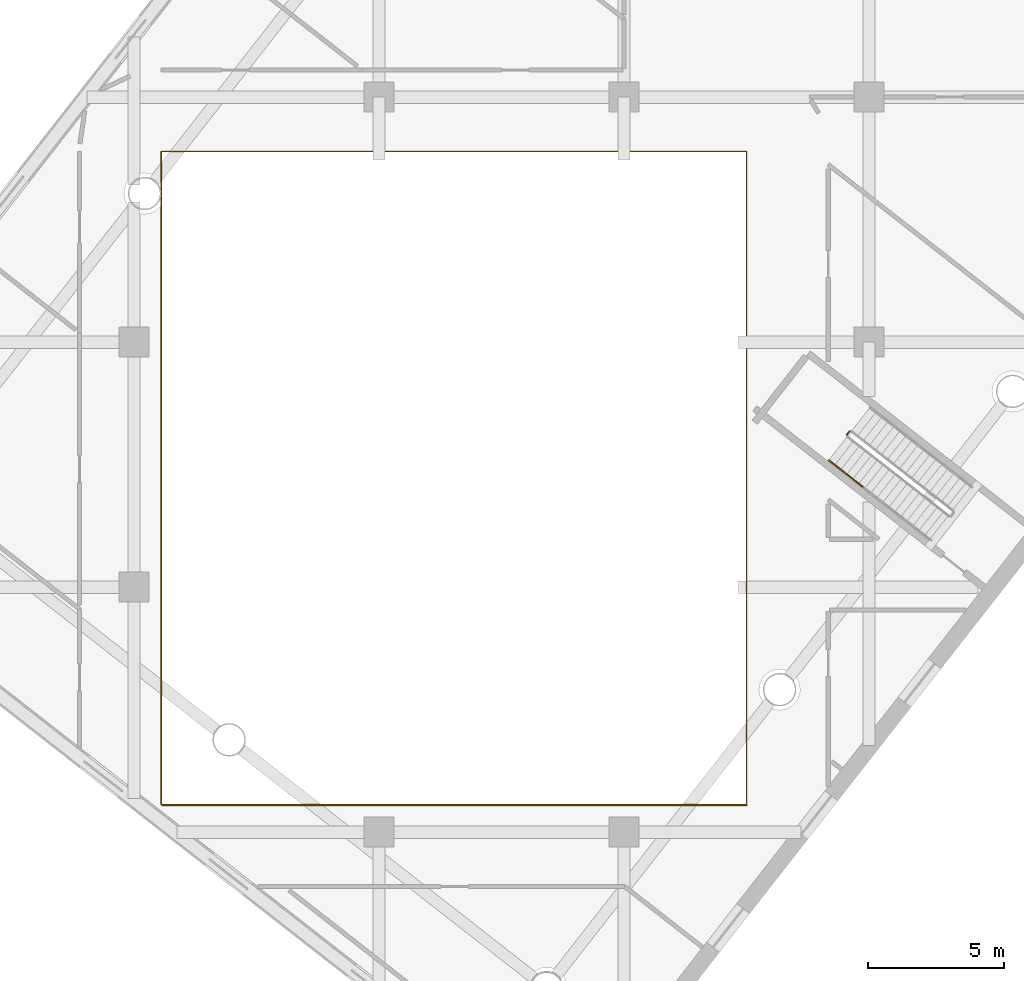
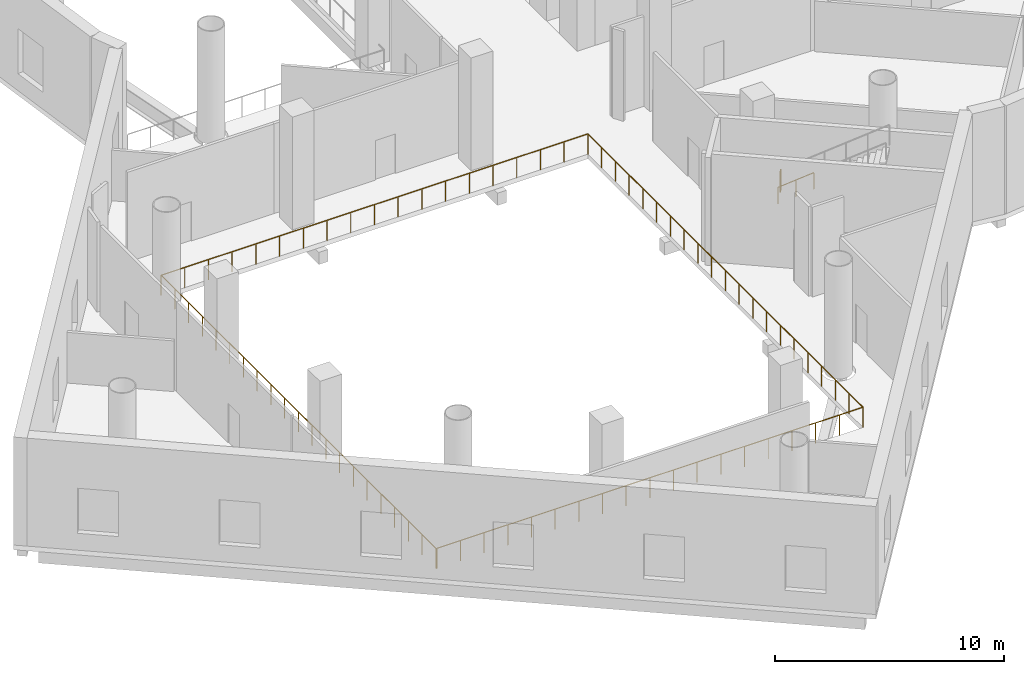
# One storey, part 19 of 24: 4 railings.
"""IFC4 building model written with IfcOpenShell, lengths in metres."""

import ifcopenshell
import ifcopenshell.guid

model = None  # the IFC model being written
_history = None  # IfcOwnerHistory: only IFC2X3 demands one
_inside = {}  # id of a spatial element -> (the spatial element, [elements in it])
_under = {}  # id of a project, library or spatial element -> (it, [spatial elements below it])
_declared = {}  # id of a project -> (the project, [libraries it declares])
_typed = {}  # id of a type object -> (the type object, [elements of that type])
_made_of = {}  # id of a material, layer set ... -> (it, [elements and type objects made of it])


def new_model(schema):
    """Start an empty IFC model of exactly this schema.

    Asked for "IFC4X3", IfcOpenShell would pick the latest addendum, in which some entities
    have other attributes; the version numbers below select the first issue.
    IFC2X3 requires an IfcOwnerHistory on every rooted entity: one is made here for all.
    """
    global model, _history
    if schema == "IFC4X3":
        model = ifcopenshell.file(schema_version=(4, 3, 0, 0))
    else:
        model = ifcopenshell.file(schema=schema)
    _inside.clear()
    _under.clear()
    _declared.clear()
    _typed.clear()
    _made_of.clear()
    _history = None
    if model.schema == "IFC2X3":
        org = make("IfcOrganization", Name="unknown")
        user = make(
            "IfcPersonAndOrganization",
            ThePerson=make("IfcPerson", FamilyName="unknown"),
            TheOrganization=org,
        )
        app = make(
            "IfcApplication",
            ApplicationDeveloper=org,
            Version="unknown",
            ApplicationFullName="unknown",
            ApplicationIdentifier="unknown",
        )
        _history = make(
            "IfcOwnerHistory",
            OwningUser=user,
            OwningApplication=app,
            ChangeAction="ADDED",
            CreationDate=0,
        )
    return model


def make(cls, **values):
    """One entity of the class cls with the attributes given. An attribute that is None is left unset."""
    return model.create_entity(
        cls, **{name: value for name, value in values.items() if value is not None}
    )


def rooted(cls, **values):
    """An entity with a GlobalId (a new one), such as an element, a storey or a relation."""
    return make(cls, GlobalId=ifcopenshell.guid.new(), OwnerHistory=_history, **values)


def si_unit(unit_type, name, prefix=None):
    """IfcSIUnit, for example si_unit("LENGTHUNIT", "METRE", prefix="MILLI")."""
    return make("IfcSIUnit", UnitType=unit_type, Prefix=prefix, Name=name)


def assignment(units):
    """IfcUnitAssignment: the units of a project."""
    return None if units is None else make("IfcUnitAssignment", Units=units)


def point(xyz):
    """IfcCartesianPoint."""
    return None if xyz is None else make("IfcCartesianPoint", Coordinates=xyz)


def direction(xyz):
    """IfcDirection."""
    return None if xyz is None else make("IfcDirection", DirectionRatios=xyz)


def frame(location, z_axis=None, x_axis=None):
    """IfcAxis2Placement3D, a coordinate frame: its origin and axes. An axis left out is left unset."""
    return make(
        "IfcAxis2Placement3D",
        Location=point(location),
        Axis=direction(z_axis),
        RefDirection=direction(x_axis),
    )


def frame_2d(location, x_axis=None):
    """IfcAxis2Placement2D, a coordinate frame in the plane: its origin and x axis."""
    return make(
        "IfcAxis2Placement2D", Location=point(location), RefDirection=direction(x_axis)
    )


def origin():
    """The frame at (0, 0, 0) with its axes left unset."""
    return frame((0.0, 0.0, 0.0))


def origin_2d():
    """The frame at (0, 0) in the plane with its x axis left unset."""
    return frame_2d((0.0, 0.0))


def place(relative_to, where):
    """IfcLocalPlacement: puts the frame where relative to a parent placement (None: the world)."""
    return make(
        "IfcLocalPlacement", PlacementRelTo=relative_to, RelativePlacement=where
    )


def context(
    kind, dimensions, precision=None, world=None, true_north=None, identifier=None
):
    """IfcGeometricRepresentationContext, for example the 3D "Model" context."""
    return make(
        "IfcGeometricRepresentationContext",
        ContextIdentifier=identifier,
        ContextType=kind,
        CoordinateSpaceDimension=dimensions,
        Precision=precision,
        WorldCoordinateSystem=world,
        TrueNorth=true_north,
    )


def subcontext(parent, identifier, kind, view, scale=None):
    """IfcGeometricRepresentationSubContext, for example "Body" below "Model"."""
    return make(
        "IfcGeometricRepresentationSubContext",
        ContextIdentifier=identifier,
        ContextType=kind,
        ParentContext=parent,
        TargetScale=scale,
        TargetView=view,
    )


def project(units=None, contexts=None):
    """IfcProject with its units and contexts."""
    return rooted(
        "IfcProject",
        Name="project",
        RepresentationContexts=contexts,
        UnitsInContext=assignment(units),
    )


def spatial(cls, under=None, at=None, **own):
    """A site, building, storey or space (cls), placed at a placement, below another one or the project."""
    s = rooted(cls, ObjectPlacement=at, **own)
    if under is not None:
        _under.setdefault(under.id(), (under, []))[1].append(s)
    return s


def profile(cls, at=None, kind="AREA", **sizes):
    """A parametric profile (cls). Its sizes go by their IFC names, for example OverallWidth=200.0."""
    return make(cls, ProfileType=kind, Position=at, **sizes)


def circle(**sizes):
    """IfcCircleProfileDef."""
    return profile("IfcCircleProfileDef", **sizes)


def extrude(swept, where, along, depth):
    """IfcExtrudedAreaSolid: the profile swept, set in the frame where, extruded along a direction by depth."""
    return make(
        "IfcExtrudedAreaSolid",
        SweptArea=swept,
        Position=where,
        ExtrudedDirection=direction(along),
        Depth=depth,
    )


def shape(context_of_items, identifier, shape_type, items):
    """IfcShapeRepresentation: the items that make up one representation, for example the "Body"."""
    return make(
        "IfcShapeRepresentation",
        ContextOfItems=context_of_items,
        RepresentationIdentifier=identifier,
        RepresentationType=shape_type,
        Items=items,
    )


def material(Name=None, Category=None):
    """IfcMaterial."""
    return make("IfcMaterial", Name=Name, Category=Category)


def made_of(thing, what):
    """Note that an element or type object is made of a material, layer set ...; save() writes the relation."""
    if what is not None:
        _made_of.setdefault(what.id(), (what, []))[1].append(thing)
    return thing


def type_object(cls, material=None, **own):
    """A type object (cls), such as IfcWallType, which elements share."""
    return made_of(rooted(cls, **own), material)


def element(
    cls,
    number,
    at=None,
    inside=None,
    cuts=None,
    type_object=None,
    material=None,
    context=None,
    identifier="Body",
    shape_type=None,
    held_by="IfcProductDefinitionShape",
    body=None,
    shapes=None,
    **own,
):
    """One element of the class cls, such as IfcWall. Its Tag is "e" and its number.

    at: its placement. inside: the storey or other place that contains it. cuts: it is an
    opening in that element (IfcRelVoidsElement). A single representation is given by context,
    identifier, shape_type and body (its items); several are given by shapes. held_by: the class
    of the entity that holds the representations. save() writes the other relations.
    """
    e = rooted(cls, Tag="e%d" % number, ObjectPlacement=at, **own)
    if body is not None:
        shapes = [shape(context, identifier, shape_type, body)]
    if shapes is not None:
        e.Representation = make(held_by, Representations=shapes)
    if inside is not None:
        _inside.setdefault(inside.id(), (inside, []))[1].append(e)
    if cuts is not None:
        rooted(
            "IfcRelVoidsElement", RelatingBuildingElement=cuts, RelatedOpeningElement=e
        )
    if type_object is not None:
        _typed.setdefault(type_object.id(), (type_object, []))[1].append(e)
    return made_of(e, material)


def aggregate(whole, parts):
    """IfcRelAggregates: a whole, such as a stair, and the parts it consists of."""
    return rooted("IfcRelAggregates", RelatingObject=whole, RelatedObjects=parts)


def save(model, path):
    """Write the relations noted so far, then the file.

    IfcRelAggregates (storeys below a building ...), IfcRelContainedInSpatialStructure (elements
    in a storey), IfcRelDefinesByType, IfcRelAssociatesMaterial and IfcRelDeclares: one each for
    every whole, place, type object, material and project.
    """
    for whole, parts in _under.values():
        aggregate(whole, parts)
    for where, things in _inside.values():
        rooted(
            "IfcRelContainedInSpatialStructure",
            RelatedElements=things,
            RelatingStructure=where,
        )
    for kind, things in _typed.values():
        rooted("IfcRelDefinesByType", RelatedObjects=things, RelatingType=kind)
    for what, things in _made_of.values():
        rooted("IfcRelAssociatesMaterial", RelatedObjects=things, RelatingMaterial=what)
    for by, libraries in _declared.values():
        rooted("IfcRelDeclares", RelatingContext=by, RelatedDefinitions=libraries)
    model.write(path)


model = new_model("IFC4")

# Units and contexts
model_context = context("Model", 3, precision=1e-05, world=origin(), true_north=direction((0.0, 1.0)))
body_context = subcontext(model_context, "Body", "Model", "MODEL_VIEW")
ifc_project = project(units=[si_unit("LENGTHUNIT", "METRE"), si_unit("AREAUNIT", "SQUARE_METRE"), si_unit("VOLUMEUNIT", "CUBIC_METRE"), si_unit("PLANEANGLEUNIT", "RADIAN"), si_unit("MASSUNIT", "GRAM", prefix="KILO")], contexts=[model_context])

# Site, building, storey
site_placement = place(None, origin())
site = spatial("IfcSite", under=ifc_project, at=site_placement, CompositionType="ELEMENT")
building_placement = place(site_placement, origin())
building = spatial("IfcBuilding", under=site, at=building_placement, Name="Tarsis Ring Headquarters", CompositionType="ELEMENT")
storey_placement = place(building_placement, frame((0.0, 0.0, 8.0)))
storey = spatial("IfcBuildingStorey", under=building, at=storey_placement, Name="L01", CompositionType="ELEMENT", Elevation=8.0)

# Railings
ifc_material = material(Name="Stainless steel", Category="steel")
railing_type_1 = type_object("IfcRailingType", Name="PO-RL-G", PredefinedType="GUARDRAIL", material=ifc_material)
railing_1_placement = place(storey_placement, frame((-9.718017578125, -30.2822265625, 3.0)))
element("IfcRailing", 1, at=railing_1_placement, inside=storey, type_object=railing_type_1, Name="L01 PS2 stair guard 2", PredefinedType="GUARDRAIL", context=body_context, shape_type="SweptSolid", body=[
    extrude(circle(Radius=0.02392578125, at=origin_2d()), frame((0.0, 0.0, 1.076171875), z_axis=(-0.615517636689, -0.788123111528, 0.0), x_axis=(0.788123111528, -0.615517636689, 0.0)), (0.0, 0.0, 1.0), 0.14990234375),
    extrude(circle(Radius=0.02099609375, at=origin_2d()), origin(), (0.0, 0.0, 1.0), 1.052001953125),
    extrude(circle(Radius=0.02099609375, at=origin_2d()), frame((-0.09228515625, -0.1181640625, 0.0)), (0.0, 0.0, 1.0), 1.052001953125),
])
railing_2_placement = place(storey_placement, frame((-13.5, -44.0, 0.0)))
element("IfcRailing", 2, at=railing_2_placement, inside=storey, type_object=railing_type_1, Name="L01 void guard 1", PredefinedType="GUARDRAIL", context=body_context, shape_type="SweptSolid", body=[
    extrude(circle(Radius=0.02392578125, at=origin_2d()), frame((0.0, 0.0, 1.076171875), z_axis=(0.0, 1.0, 0.0), x_axis=(-1.0, 0.0, 0.0)), (0.0, 0.0, 1.0), 24.0),
    extrude(circle(Radius=0.02392578125, at=origin_2d()), frame((0.0, 24.0, 1.076171875), z_axis=(-1.0, 0.0, 0.0), x_axis=(0.0, -1.0, 0.0)), (0.0, 0.0, 1.0), 21.5),
    extrude(circle(Radius=0.02392578125, at=origin_2d()), frame((-21.5, 24.0, 1.076171875), z_axis=(0.0, -1.0, 0.0), x_axis=(1.0, 0.0, 0.0)), (0.0, 0.0, 1.0), 23.973876953125),
    extrude(circle(Radius=0.02099609375, at=origin_2d()), origin(), (0.0, 0.0, 1.0), 1.052001953125),
    extrude(circle(Radius=0.02099609375, at=origin_2d()), frame((0.0, 1.199951171875, 0.0)), (0.0, 0.0, 1.0), 1.052001953125),
    extrude(circle(Radius=0.02099609375, at=origin_2d()), frame((0.0, 2.39990234375, 0.0)), (0.0, 0.0, 1.0), 1.052001953125),
    extrude(circle(Radius=0.02099609375, at=origin_2d()), frame((0.0, 3.60009765625, 0.0)), (0.0, 0.0, 1.0), 1.052001953125),
    extrude(circle(Radius=0.02099609375, at=origin_2d()), frame((0.0, 4.800048828125, 0.0)), (0.0, 0.0, 1.0), 1.052001953125),
    extrude(circle(Radius=0.02099609375, at=origin_2d()), frame((0.0, 6.0, 0.0)), (0.0, 0.0, 1.0), 1.052001953125),
    extrude(circle(Radius=0.02099609375, at=origin_2d()), frame((0.0, 7.199951171875, 0.0)), (0.0, 0.0, 1.0), 1.052001953125),
    extrude(circle(Radius=0.02099609375, at=origin_2d()), frame((0.0, 8.39990234375, 0.0)), (0.0, 0.0, 1.0), 1.052001953125),
    extrude(circle(Radius=0.02099609375, at=origin_2d()), frame((0.0, 9.60009765625, 0.0)), (0.0, 0.0, 1.0), 1.052001953125),
    extrude(circle(Radius=0.02099609375, at=origin_2d()), frame((0.0, 10.800048828125, 0.0)), (0.0, 0.0, 1.0), 1.052001953125),
    extrude(circle(Radius=0.02099609375, at=origin_2d()), frame((0.0, 12.0, 0.0)), (0.0, 0.0, 1.0), 1.052001953125),
    extrude(circle(Radius=0.02099609375, at=origin_2d()), frame((0.0, 13.199951171875, 0.0)), (0.0, 0.0, 1.0), 1.052001953125),
    extrude(circle(Radius=0.02099609375, at=origin_2d()), frame((0.0, 14.39990234375, 0.0)), (0.0, 0.0, 1.0), 1.052001953125),
    extrude(circle(Radius=0.02099609375, at=origin_2d()), frame((0.0, 15.60009765625, 0.0)), (0.0, 0.0, 1.0), 1.052001953125),
    extrude(circle(Radius=0.02099609375, at=origin_2d()), frame((0.0, 16.800048828125, 0.0)), (0.0, 0.0, 1.0), 1.052001953125),
    extrude(circle(Radius=0.02099609375, at=origin_2d()), frame((0.0, 18.0, 0.0)), (0.0, 0.0, 1.0), 1.052001953125),
    extrude(circle(Radius=0.02099609375, at=origin_2d()), frame((0.0, 19.199951171875, 0.0)), (0.0, 0.0, 1.0), 1.052001953125),
    extrude(circle(Radius=0.02099609375, at=origin_2d()), frame((0.0, 20.39990234375, 0.0)), (0.0, 0.0, 1.0), 1.052001953125),
    extrude(circle(Radius=0.02099609375, at=origin_2d()), frame((0.0, 21.60009765625, 0.0)), (0.0, 0.0, 1.0), 1.052001953125),
    extrude(circle(Radius=0.02099609375, at=origin_2d()), frame((0.0, 22.800048828125, 0.0)), (0.0, 0.0, 1.0), 1.052001953125),
    extrude(circle(Radius=0.02099609375, at=origin_2d()), frame((0.0, 24.0, 0.0)), (0.0, 0.0, 1.0), 1.052001953125),
    extrude(circle(Radius=0.02099609375, at=origin_2d()), frame((-1.1943359375, 24.0, 0.0)), (0.0, 0.0, 1.0), 1.052001953125),
    extrude(circle(Radius=0.02099609375, at=origin_2d()), frame((-2.388916015625, 24.0, 0.0)), (0.0, 0.0, 1.0), 1.052001953125),
    extrude(circle(Radius=0.02099609375, at=origin_2d()), frame((-3.583251953125, 24.0, 0.0)), (0.0, 0.0, 1.0), 1.052001953125),
    extrude(circle(Radius=0.02099609375, at=origin_2d()), frame((-4.77783203125, 24.0, 0.0)), (0.0, 0.0, 1.0), 1.052001953125),
    extrude(circle(Radius=0.02099609375, at=origin_2d()), frame((-5.97216796875, 24.0, 0.0)), (0.0, 0.0, 1.0), 1.052001953125),
    extrude(circle(Radius=0.02099609375, at=origin_2d()), frame((-7.166748046875, 24.0, 0.0)), (0.0, 0.0, 1.0), 1.052001953125),
    extrude(circle(Radius=0.02099609375, at=origin_2d()), frame((-8.361083984375, 24.0, 0.0)), (0.0, 0.0, 1.0), 1.052001953125),
    extrude(circle(Radius=0.02099609375, at=origin_2d()), frame((-9.5556640625, 24.0, 0.0)), (0.0, 0.0, 1.0), 1.052001953125),
    extrude(circle(Radius=0.02099609375, at=origin_2d()), frame((-10.75, 24.0, 0.0)), (0.0, 0.0, 1.0), 1.052001953125),
    extrude(circle(Radius=0.02099609375, at=origin_2d()), frame((-11.9443359375, 24.0, 0.0)), (0.0, 0.0, 1.0), 1.052001953125),
    extrude(circle(Radius=0.02099609375, at=origin_2d()), frame((-13.138916015625, 24.0, 0.0)), (0.0, 0.0, 1.0), 1.052001953125),
    extrude(circle(Radius=0.02099609375, at=origin_2d()), frame((-14.333251953125, 24.0, 0.0)), (0.0, 0.0, 1.0), 1.052001953125),
    extrude(circle(Radius=0.02099609375, at=origin_2d()), frame((-15.52783203125, 24.0, 0.0)), (0.0, 0.0, 1.0), 1.052001953125),
    extrude(circle(Radius=0.02099609375, at=origin_2d()), frame((-16.72216796875, 24.0, 0.0)), (0.0, 0.0, 1.0), 1.052001953125),
    extrude(circle(Radius=0.02099609375, at=origin_2d()), frame((-17.916748046875, 24.0, 0.0)), (0.0, 0.0, 1.0), 1.052001953125),
    extrude(circle(Radius=0.02099609375, at=origin_2d()), frame((-19.111083984375, 24.0, 0.0)), (0.0, 0.0, 1.0), 1.052001953125),
    extrude(circle(Radius=0.02099609375, at=origin_2d()), frame((-20.3056640625, 24.0, 0.0)), (0.0, 0.0, 1.0), 1.052001953125),
    extrude(circle(Radius=0.02099609375, at=origin_2d()), frame((-21.5, 24.0, 0.0)), (0.0, 0.0, 1.0), 1.052001953125),
    extrude(circle(Radius=0.02099609375, at=origin_2d()), frame((-21.5, 22.80126953125, 0.0)), (0.0, 0.0, 1.0), 1.052001953125),
    extrude(circle(Radius=0.02099609375, at=origin_2d()), frame((-21.5, 21.6025390625, 0.0)), (0.0, 0.0, 1.0), 1.052001953125),
    extrude(circle(Radius=0.02099609375, at=origin_2d()), frame((-21.5, 20.40380859375, 0.0)), (0.0, 0.0, 1.0), 1.052001953125),
    extrude(circle(Radius=0.02099609375, at=origin_2d()), frame((-21.5, 19.205322265625, 0.0)), (0.0, 0.0, 1.0), 1.052001953125),
    extrude(circle(Radius=0.02099609375, at=origin_2d()), frame((-21.5, 18.006591796875, 0.0)), (0.0, 0.0, 1.0), 1.052001953125),
    extrude(circle(Radius=0.02099609375, at=origin_2d()), frame((-21.5, 16.807861328125, 0.0)), (0.0, 0.0, 1.0), 1.052001953125),
    extrude(circle(Radius=0.02099609375, at=origin_2d()), frame((-21.5, 15.609130859375, 0.0)), (0.0, 0.0, 1.0), 1.052001953125),
    extrude(circle(Radius=0.02099609375, at=origin_2d()), frame((-21.5, 14.410400390625, 0.0)), (0.0, 0.0, 1.0), 1.052001953125),
    extrude(circle(Radius=0.02099609375, at=origin_2d()), frame((-21.5, 13.211669921875, 0.0)), (0.0, 0.0, 1.0), 1.052001953125),
    extrude(circle(Radius=0.02099609375, at=origin_2d()), frame((-21.5, 12.01318359375, 0.0)), (0.0, 0.0, 1.0), 1.052001953125),
    extrude(circle(Radius=0.02099609375, at=origin_2d()), frame((-21.5, 10.814453125, 0.0)), (0.0, 0.0, 1.0), 1.052001953125),
    extrude(circle(Radius=0.02099609375, at=origin_2d()), frame((-21.5, 9.61572265625, 0.0)), (0.0, 0.0, 1.0), 1.052001953125),
    extrude(circle(Radius=0.02099609375, at=origin_2d()), frame((-21.5, 8.4169921875, 0.0)), (0.0, 0.0, 1.0), 1.052001953125),
    extrude(circle(Radius=0.02099609375, at=origin_2d()), frame((-21.5, 7.21826171875, 0.0)), (0.0, 0.0, 1.0), 1.052001953125),
    extrude(circle(Radius=0.02099609375, at=origin_2d()), frame((-21.5, 6.01953125, 0.0)), (0.0, 0.0, 1.0), 1.052001953125),
    extrude(circle(Radius=0.02099609375, at=origin_2d()), frame((-21.5, 4.82080078125, 0.0)), (0.0, 0.0, 1.0), 1.052001953125),
    extrude(circle(Radius=0.02099609375, at=origin_2d()), frame((-21.5, 3.622314453125, 0.0)), (0.0, 0.0, 1.0), 1.052001953125),
    extrude(circle(Radius=0.02099609375, at=origin_2d()), frame((-21.5, 2.423583984375, 0.0)), (0.0, 0.0, 1.0), 1.052001953125),
    extrude(circle(Radius=0.02099609375, at=origin_2d()), frame((-21.5, 1.224853515625, 0.0)), (0.0, 0.0, 1.0), 1.052001953125),
    extrude(circle(Radius=0.02099609375, at=origin_2d()), frame((-21.5, 0.026123046875, 0.0)), (0.0, 0.0, 1.0), 1.052001953125),
])
railing_3_placement = place(storey_placement, frame((-34.966552734375, -44.0, 0.0)))
element("IfcRailing", 3, at=railing_3_placement, inside=storey, type_object=railing_type_1, Name="L01 void guard 2", PredefinedType="GUARDRAIL", context=body_context, shape_type="SweptSolid", body=[
    extrude(circle(Radius=0.02392578125, at=origin_2d()), frame((0.0, 0.0, 1.076171875), z_axis=(1.0, 0.0, 0.0), x_axis=(0.0, 1.0, 0.0)), (0.0, 0.0, 1.0), 21.466552734375),
    extrude(circle(Radius=0.02099609375, at=origin_2d()), origin(), (0.0, 0.0, 1.0), 1.052001953125),
    extrude(circle(Radius=0.02099609375, at=origin_2d()), frame((1.192626953125, 0.0, 0.0)), (0.0, 0.0, 1.0), 1.052001953125),
    extrude(circle(Radius=0.02099609375, at=origin_2d()), frame((2.38525390625, 0.0, 0.0)), (0.0, 0.0, 1.0), 1.052001953125),
    extrude(circle(Radius=0.02099609375, at=origin_2d()), frame((3.57763671875, 0.0, 0.0)), (0.0, 0.0, 1.0), 1.052001953125),
    extrude(circle(Radius=0.02099609375, at=origin_2d()), frame((4.770263671875, 0.0, 0.0)), (0.0, 0.0, 1.0), 1.052001953125),
    extrude(circle(Radius=0.02099609375, at=origin_2d()), frame((5.962890625, 0.0, 0.0)), (0.0, 0.0, 1.0), 1.052001953125),
    extrude(circle(Radius=0.02099609375, at=origin_2d()), frame((7.155517578125, 0.0, 0.0)), (0.0, 0.0, 1.0), 1.052001953125),
    extrude(circle(Radius=0.02099609375, at=origin_2d()), frame((8.34814453125, 0.0, 0.0)), (0.0, 0.0, 1.0), 1.052001953125),
    extrude(circle(Radius=0.02099609375, at=origin_2d()), frame((9.540771484375, 0.0, 0.0)), (0.0, 0.0, 1.0), 1.052001953125),
    extrude(circle(Radius=0.02099609375, at=origin_2d()), frame((10.7333984375, 0.0, 0.0)), (0.0, 0.0, 1.0), 1.052001953125),
    extrude(circle(Radius=0.02099609375, at=origin_2d()), frame((11.92578125, 0.0, 0.0)), (0.0, 0.0, 1.0), 1.052001953125),
    extrude(circle(Radius=0.02099609375, at=origin_2d()), frame((13.118408203125, 0.0, 0.0)), (0.0, 0.0, 1.0), 1.052001953125),
    extrude(circle(Radius=0.02099609375, at=origin_2d()), frame((14.31103515625, 0.0, 0.0)), (0.0, 0.0, 1.0), 1.052001953125),
    extrude(circle(Radius=0.02099609375, at=origin_2d()), frame((15.503662109375, 0.0, 0.0)), (0.0, 0.0, 1.0), 1.052001953125),
    extrude(circle(Radius=0.02099609375, at=origin_2d()), frame((16.6962890625, 0.0, 0.0)), (0.0, 0.0, 1.0), 1.052001953125),
    extrude(circle(Radius=0.02099609375, at=origin_2d()), frame((17.888671875, 0.0, 0.0)), (0.0, 0.0, 1.0), 1.052001953125),
    extrude(circle(Radius=0.02099609375, at=origin_2d()), frame((19.081298828125, 0.0, 0.0)), (0.0, 0.0, 1.0), 1.052001953125),
    extrude(circle(Radius=0.02099609375, at=origin_2d()), frame((20.27392578125, 0.0, 0.0)), (0.0, 0.0, 1.0), 1.052001953125),
    extrude(circle(Radius=0.02099609375, at=origin_2d()), frame((21.466552734375, 0.0, 0.0)), (0.0, 0.0, 1.0), 1.052001953125),
])
railing_type_2 = type_object("IfcRailingType", Name="PO-RL-H", PredefinedType="HANDRAIL", material=ifc_material)
railing_4_placement = place(storey_placement, frame((-10.478515625, -31.337646484375, 3.166748046875)))
element("IfcRailing", 4, at=railing_4_placement, inside=storey, type_object=railing_type_2, Name="L01 PS2 stair handrail 2", PredefinedType="HANDRAIL", context=body_context, shape_type="SweptSolid", body=[
    extrude(circle(Radius=0.02392578125, at=origin_2d()), frame((0.0, 0.0, 0.8759765625), z_axis=(0.677379159691, -0.528760347376, 0.511439115691), x_axis=(0.615324495023, 0.788273915479, 0.0)), (0.0, 0.0, 1.0), 1.846435546875),
    extrude(circle(Radius=0.02099609375, at=origin_2d()), origin(), (0.0, 0.0, 1.0), 0.851806640625),
    extrude(circle(Radius=0.02099609375, at=origin_2d()), frame((0.62548828125, -0.48828125, 0.47216796875)), (0.0, 0.0, 1.0), 0.851806640625),
    extrude(circle(Radius=0.02099609375, at=origin_2d()), frame((1.250732421875, -0.976318359375, 0.9443359375)), (0.0, 0.0, 1.0), 0.851806640625),
])

save(model, "model.ifc")
